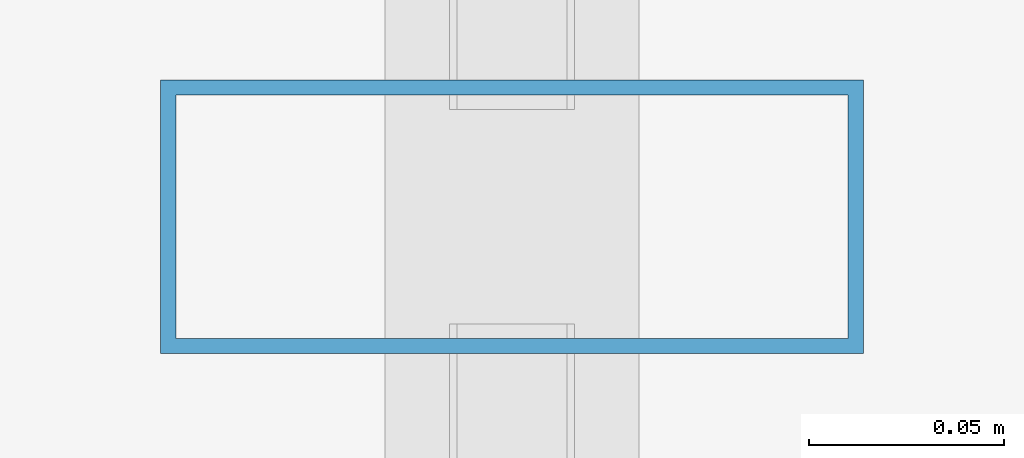
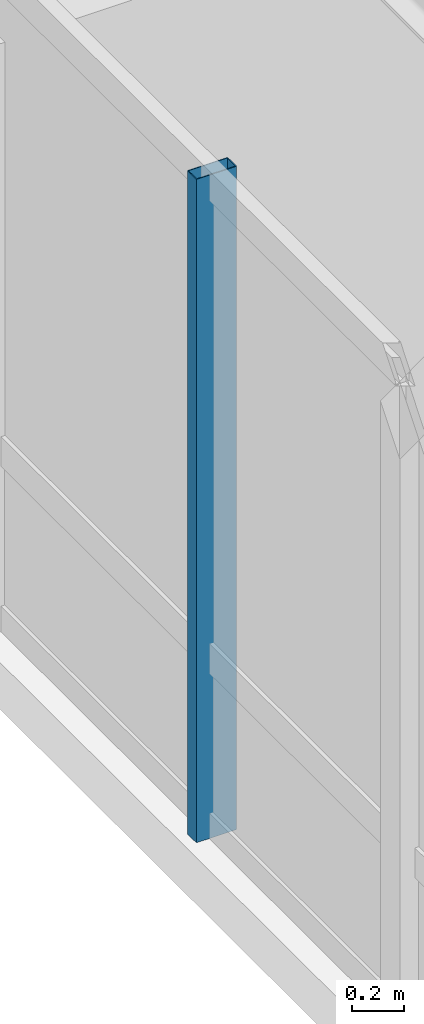
# One storey, part 13 of 30: 1 member, 1 element without a shape of its own.
"""IFC4 building model written with IfcOpenShell, lengths in metres."""

from ifc_helpers import new_model, si_unit, direction, frame, origin, origin_2d, place, context, subcontext, project, spatial, hollow_rectangle, extrude, material, layer, layer_set, material_profile, profile_set, type_object, element, aggregate, save


model = new_model("IFC4")

# Units and contexts
model_context = context("Model", 3, precision=1e-05, world=origin(), true_north=direction((0.0, 1.0)))
body_context = subcontext(model_context, "Body", "Model", "MODEL_VIEW")
ifc_project = project(units=[si_unit("LENGTHUNIT", "METRE"), si_unit("AREAUNIT", "SQUARE_METRE"), si_unit("VOLUMEUNIT", "CUBIC_METRE"), si_unit("PLANEANGLEUNIT", "RADIAN"), si_unit("MASSUNIT", "GRAM", prefix="KILO")], contexts=[model_context])

# Site, building, storey
site_placement = place(None, origin())
site = spatial("IfcSite", under=ifc_project, at=site_placement, CompositionType="ELEMENT")
building_placement = place(site_placement, origin())
building = spatial("IfcBuilding", under=site, at=building_placement, Name="Hatsunagi Terrace Concourse", CompositionType="ELEMENT")
storey_placement = place(building_placement, frame((0.0, 0.0, 74.60009765625)))
storey = spatial("IfcBuildingStorey", under=building, at=storey_placement, Name="L19", CompositionType="ELEMENT", Elevation=74.60009765625)

# Curtain wall, member
ifc_material_1 = material(Name="Anodised Aluminium Alloy 6063-T5", Category="aluminium")
ifc_layer = layer(ifc_material_1, 0.199951171875)
ifc_layer_set = layer_set([ifc_layer], Name="HotelFacade_CW02")
curtain_wall_type = type_object("IfcCurtainWallType", Name="HotelFacade_CW02", PredefinedType="NOTDEFINED", material=ifc_layer_set)
curtain_wall_placement = place(storey_placement, origin())
curtain_wall = element("IfcCurtainWall", 1, at=curtain_wall_placement, inside=storey, type_object=curtain_wall_type, Name="Unitised Curtain Wall CW-02 CW-L19-09", PredefinedType="NOTDEFINED")
ifc_material_2 = material(Name="Anodised Aluminium Alloy 6063-T5", Category="aluminium")
ifc_material_profile = material_profile(ifc_material_2, hollow_rectangle(XDim=0.070068359375, YDim=0.179931640625, WallThickness=0.00390625, at=origin_2d()), Name="ALU-MUL-180x70x4")
ifc_profile_set = profile_set([ifc_material_profile], Name="Anodised Aluminium Alloy 6063-T5")
member_type = type_object("IfcMemberType", Name="CurtainWallMullion_180x70", PredefinedType="MULLION", material=ifc_profile_set)
member_placement = place(storey_placement, frame((9.739990234375, 36.89990234375, 0.0), z_axis=(0.0, 0.0, 1.0), x_axis=(0.0, 1.0, 0.0)))
member = element("IfcMember", 2, at=member_placement, type_object=member_type, Name="Curtain Wall Mullion MUL-02", PredefinedType="MULLION", context=body_context, shape_type="SweptSolid", body=[
    extrude(hollow_rectangle(XDim=0.070068359375, YDim=0.179931640625, WallThickness=0.00390625, at=origin_2d()), origin(), (0.0, 0.0, 1.0), 3.1298828125),
])
aggregate(curtain_wall, [member])

save(model, "model.ifc")
